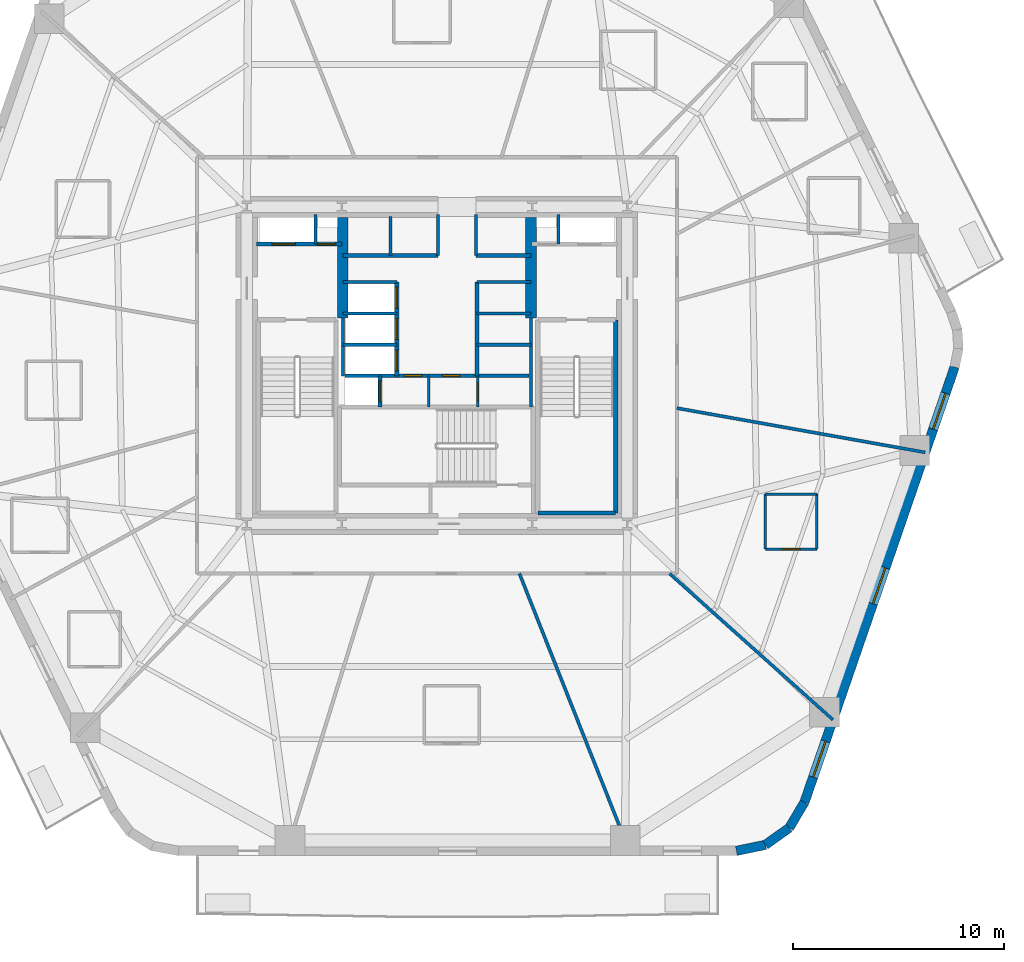
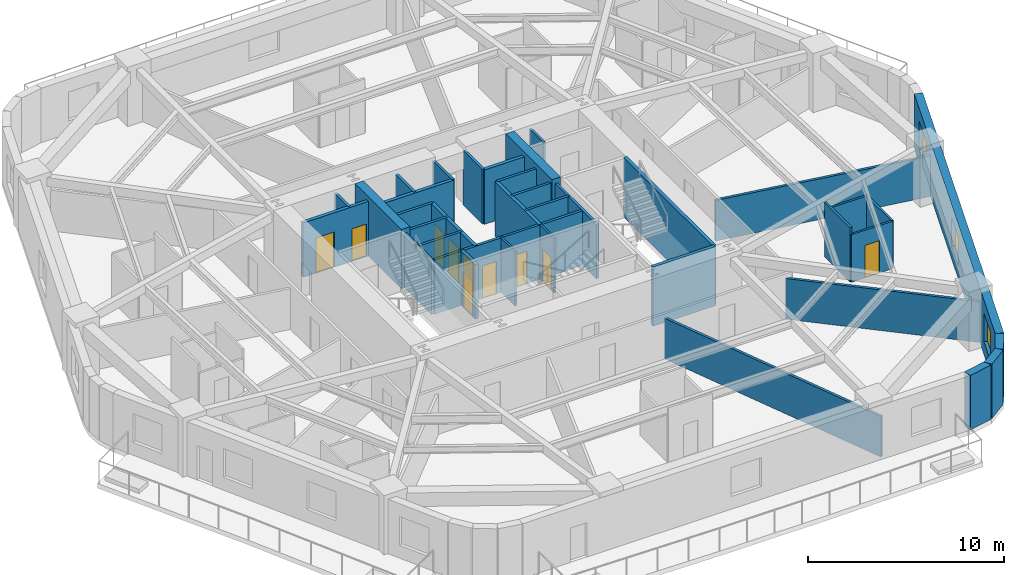
# One storey, part 4 of 10: 37 walls, 10 doors, 3 windows, 13 openings.
"""IFC4 building model written with IfcOpenShell, lengths in metres."""

from ifc_helpers import new_model, si_unit, direction, frame, frame_2d, origin, place, context, subcontext, project, spatial, rectangle, extrude, material, layer, layer_set, type_object, element, fill, save


model = new_model("IFC4")

# Units and contexts
model_context = context("Model", 3, precision=1e-05, world=origin(), true_north=direction((0.0, 1.0)))
body_context = subcontext(model_context, "Body", "Model", "MODEL_VIEW")
ifc_project = project(units=[si_unit("LENGTHUNIT", "METRE"), si_unit("AREAUNIT", "SQUARE_METRE"), si_unit("VOLUMEUNIT", "CUBIC_METRE"), si_unit("PLANEANGLEUNIT", "RADIAN"), si_unit("MASSUNIT", "GRAM", prefix="KILO")], contexts=[model_context])

# Site, building, storey
site_placement = place(None, origin())
site = spatial("IfcSite", under=ifc_project, at=site_placement, CompositionType="ELEMENT")
building_placement = place(site_placement, origin())
building = spatial("IfcBuilding", under=site, at=building_placement, Name="Kilnhurst Terrace Hotel", CompositionType="ELEMENT")
storey_placement = place(building_placement, frame((0.0, 0.0, 63.800048828125)))
storey = spatial("IfcBuildingStorey", under=building, at=storey_placement, Name="L14", CompositionType="ELEMENT", Elevation=63.800048828125)

# Walls
ifc_material_1 = material(Name="Precast concrete C40/50", Category="concrete")
ifc_layer_1 = layer(ifc_material_1, 0.449951171875, Name="Precast concrete C40/50")
ifc_layer_set_1 = layer_set([ifc_layer_1], Name="Precast concrete C40/50")
wall_type_1 = type_object("IfcWallType", Name="WL-BRK-450", PredefinedType="SOLIDWALL", material=ifc_layer_set_1)
wall_1_placement = place(storey_placement, frame((14.168212890625, -22.97509765625, 0.0), z_axis=(0.0, 0.0, 1.0), x_axis=(0.978770371074, 0.204959900243, 0.0)))
element("IfcWall", 1, at=wall_1_placement, inside=storey, type_object=wall_type_1, Name="L14 Rounded Corner Brick Wall C2.1", PredefinedType="SOLIDWALL", context=body_context, shape_type="SweptSolid", body=[
    extrude(rectangle(XDim=1.405517578125, YDim=0.449951171875, at=frame_2d((0.70263671875, 0.0))), origin(), (0.0, 0.0, 1.0), 3.39990234375),
])
wall_2_placement = place(storey_placement, frame((15.5439453125, -22.68701171875, 0.0), z_axis=(0.0, 0.0, 1.0), x_axis=(0.814210854316, 0.580569276412, 0.0)))
element("IfcWall", 2, at=wall_2_placement, inside=storey, type_object=wall_type_1, Name="L14 Rounded Corner Brick Wall C2.2", PredefinedType="SOLIDWALL", context=body_context, shape_type="SweptSolid", body=[
    extrude(rectangle(XDim=1.38134765625, YDim=0.449951171875, at=frame_2d((0.690673828125, 0.0))), origin(), (0.0, 0.0, 1.0), 3.39990234375),
])
wall_3_placement = place(storey_placement, frame((16.668701171875, -21.885009765625, 0.0), z_axis=(0.0, 0.0, 1.0), x_axis=(0.512936712947, 0.858426425799, 0.0)))
element("IfcWall", 3, at=wall_3_placement, inside=storey, type_object=wall_type_1, Name="L14 Rounded Corner Brick Wall C2.3", PredefinedType="SOLIDWALL", context=body_context, shape_type="SweptSolid", body=[
    extrude(rectangle(XDim=1.405517578125, YDim=0.449951171875, at=frame_2d((0.70263671875, 0.0))), origin(), (0.0, 0.0, 1.0), 3.39990234375),
])

# Wall, openings, windows
wall_4_placement = place(storey_placement, frame((17.3896484375, -20.678466796875, 0.0), z_axis=(0.0, 0.0, 1.0), x_axis=(0.326068018294, 0.945346310854, 0.0)))
wall_4 = element("IfcWall", 4, at=wall_4_placement, inside=storey, type_object=wall_type_1, Name="L14 Exterior Brick Facade Wall F2", PredefinedType="SOLIDWALL", context=body_context, shape_type="SweptSolid", body=[
    extrude(rectangle(XDim=21.79296875, YDim=0.449951171875, at=frame_2d((10.896484375, 0.0))), origin(), (0.0, 0.0, 1.0), 3.39990234375),
])
opening_1_placement = place(wall_4_placement, frame((1.260009765625, 0.0, 0.800048828125)))
opening_1 = element("IfcOpeningElement", 5, at=opening_1_placement, cuts=wall_4, Name="Opening W-01", PredefinedType="OPENING", context=body_context, shape_type="SweptSolid", body=[
    extrude(rectangle(XDim=1.800048828125, YDim=1.800048828125, at=frame_2d((0.89990234375, 0.89990234375))), frame((0.0, 0.23486328125, 0.0), z_axis=(0.0, -1.0, 0.0), x_axis=(1.0, 0.0, 0.0)), (0.0, 0.0, 1.0), 0.469970703125),
])
opening_2_placement = place(wall_4_placement, frame((9.943115234375, 0.0, 0.800048828125)))
opening_2 = element("IfcOpeningElement", 6, at=opening_2_placement, cuts=wall_4, Name="Opening W-01", PredefinedType="OPENING", context=body_context, shape_type="SweptSolid", body=[
    extrude(rectangle(XDim=1.800048828125, YDim=1.800048828125, at=frame_2d((0.89990234375, 0.89990234375))), frame((0.0, 0.23486328125, 0.0), z_axis=(0.0, -1.0, 0.0), x_axis=(1.0, 0.0, 0.0)), (0.0, 0.0, 1.0), 0.469970703125),
])
opening_3_placement = place(wall_4_placement, frame((18.679931640625, 0.0, 0.800048828125)))
opening_3 = element("IfcOpeningElement", 7, at=opening_3_placement, cuts=wall_4, Name="Opening W-01", PredefinedType="OPENING", context=body_context, shape_type="SweptSolid", body=[
    extrude(rectangle(XDim=1.800048828125, YDim=1.800048828125, at=frame_2d((0.89990234375, 0.89990234375))), frame((0.0, 0.23486328125, 0.0), z_axis=(0.0, -1.0, 0.0), x_axis=(1.0, 0.0, 0.0)), (0.0, 0.0, 1.0), 0.469970703125),
])
ifc_material_2 = material(Name="Thermally Broken Bronze Aluminium Alloy 6063-T6 and Low-E Glass", Category="aluminium")
window_type = type_object("IfcWindowType", Name="WIN-1800X1800", PartitioningType="SINGLE_PANEL", PredefinedType="WINDOW", material=ifc_material_2)
window_1_placement = place(opening_1_placement, origin())
window_1 = element("IfcWindow", 8, at=window_1_placement, inside=storey, type_object=window_type, Name="L14 Deep-Set Masonry Window F2.1", OverallHeight=1.800048828125, OverallWidth=1.800048828125, PartitioningType="SINGLE_PANEL", PredefinedType="WINDOW", context=body_context, shape_type="SweptSolid", body=[
    extrude(rectangle(XDim=1.800048828125, YDim=1.800048828125, at=frame_2d((0.89990234375, 0.89990234375))), frame((0.0, 0.030029296875, 0.0), z_axis=(0.0, -1.0, 0.0), x_axis=(1.0, 0.0, 0.0)), (0.0, 0.0, 1.0), 0.06005859375),
])
fill(opening_1, window_1)
window_2_placement = place(opening_2_placement, origin())
window_2 = element("IfcWindow", 9, at=window_2_placement, inside=storey, type_object=window_type, Name="L14 Deep-Set Masonry Window F2.2", OverallHeight=1.800048828125, OverallWidth=1.800048828125, PartitioningType="SINGLE_PANEL", PredefinedType="WINDOW", context=body_context, shape_type="SweptSolid", body=[
    extrude(rectangle(XDim=1.800048828125, YDim=1.800048828125, at=frame_2d((0.89990234375, 0.89990234375))), frame((0.0, 0.030029296875, 0.0), z_axis=(0.0, -1.0, 0.0), x_axis=(1.0, 0.0, 0.0)), (0.0, 0.0, 1.0), 0.06005859375),
])
fill(opening_2, window_2)
window_3_placement = place(opening_3_placement, origin())
window_3 = element("IfcWindow", 10, at=window_3_placement, inside=storey, type_object=window_type, Name="L14 Deep-Set Masonry Window F2.3", OverallHeight=1.800048828125, OverallWidth=1.800048828125, PartitioningType="SINGLE_PANEL", PredefinedType="WINDOW", context=body_context, shape_type="SweptSolid", body=[
    extrude(rectangle(XDim=1.800048828125, YDim=1.800048828125, at=frame_2d((0.89990234375, 0.89990234375))), frame((0.0, 0.030029296875, 0.0), z_axis=(0.0, -1.0, 0.0), x_axis=(1.0, 0.0, 0.0)), (0.0, 0.0, 1.0), 0.06005859375),
])
fill(opening_3, window_3)

# Walls
ifc_material_3 = material(Name="Concrete C60/75", Category="concrete")
ifc_layer_2 = layer(ifc_material_3, 0.5, Name="Concrete C60/75")
ifc_layer_set_2 = layer_set([ifc_layer_2], Name="Concrete C60/75")
wall_type_2 = type_object("IfcWallType", Name="WL-CORE-WEB-500", PredefinedType="SHEAR", material=ifc_layer_set_2)
for number, where, z_axis, x_axis, name in (
    (11, (-4.449951171875, 2.25, 0.0), (0.0, 0.0, 1.0), (0.0, 1.0, 0.0), "L14 Core Internal West Shear Web"),
    (12, (4.449951171875, 2.25, 0.0), (0.0, 0.0, 1.0), (0.0, 1.0, 0.0), "L14 Core Internal East Shear Web"),
):
    element("IfcWall", number, at=place(storey_placement, frame(where, z_axis=z_axis, x_axis=x_axis)), inside=storey, type_object=wall_type_2, Name=name, PredefinedType="SHEAR", context=body_context, shape_type="SweptSolid", body=[
        extrude(rectangle(XDim=4.75, YDim=0.5, at=frame_2d((2.375, 0.0))), origin(), (0.0, 0.0, 1.0), 3.699951171875),
    ])
ifc_material_4 = material(Name="STC-58 Acoustic Twin-Frame Guestroom Demising Partition")
ifc_layer_3 = layer(ifc_material_4, 0.14990234375, Name="STC-58 Acoustic Twin-Frame Guestroom Demising Partition")
ifc_layer_set_3 = layer_set([ifc_layer_3], Name="STC-58 Acoustic Twin-Frame Guestroom Demising Partition")
wall_type_3 = type_object("IfcWallType", Name="WL-DEM-150", PredefinedType="PARTITIONING", material=ifc_layer_set_3)
wall_5_placement = place(storey_placement, frame((3.90185546875, -9.85009765625, 0.0), z_axis=(0.0, 0.0, 1.0), x_axis=(0.36828765711, -0.929711891728, 0.0)))
element("IfcWall", 13, at=wall_5_placement, inside=storey, type_object=wall_type_3, Name="L14 Interior Wall WL-L14-DEM-COL10-12-1", PredefinedType="PARTITIONING", context=body_context, shape_type="SweptSolid", body=[
    extrude(rectangle(XDim=14.1171875, YDim=0.14990234375, at=frame_2d((7.05859375, 0.0))), origin(), (0.0, 0.0, 1.0), 2.5400390625),
])
wall_6_placement = place(storey_placement, frame((11.006591796875, -9.85009765625, 0.0), z_axis=(0.0, 0.0, 1.0), x_axis=(0.745177305978, -0.666866390407, 0.0)))
element("IfcWall", 14, at=wall_6_placement, inside=storey, type_object=wall_type_3, Name="L14 Interior Wall WL-L14-DEM-COL11-13-1", PredefinedType="PARTITIONING", context=body_context, shape_type="SweptSolid", body=[
    extrude(rectangle(XDim=10.375244140625, YDim=0.14990234375, at=frame_2d((5.1875, 0.0))), origin(), (0.0, 0.0, 1.0), 2.5400390625),
])
wall_7_placement = place(storey_placement, frame((11.35009765625, -2.022705078125, 0.0), z_axis=(0.0, 0.0, 1.0), x_axis=(0.984493741877, -0.17541970301, 0.0)))
element("IfcWall", 15, at=wall_7_placement, inside=storey, type_object=wall_type_3, Name="L14 Interior Wall WL-L14-DEM-COL12-14-1", PredefinedType="PARTITIONING", context=body_context, shape_type="SweptSolid", body=[
    extrude(rectangle(XDim=11.93701171875, YDim=0.14990234375, at=frame_2d((5.968505859375, 0.0))), origin(), (0.0, 0.0, 1.0), 2.5400390625),
])
ifc_material_5 = material(Name="120 mm Moisture-Resistant Tile-Backed Bathroom Partition")
ifc_layer_4 = layer(ifc_material_5, 0.1201171875, Name="120 mm Moisture-Resistant Tile-Backed Bathroom Partition")
ifc_layer_set_4 = layer_set([ifc_layer_4], Name="120 mm Moisture-Resistant Tile-Backed Bathroom Partition")
wall_type_4 = type_object("IfcWallType", Name="WL-PART-120", PredefinedType="PARTITIONING", material=ifc_layer_set_4)
wall_8_placement = place(storey_placement, frame((-0.3798828125, -1.971923828125, 0.0), z_axis=(0.0, 0.0, 1.0), x_axis=(0.0, 1.0, 0.0)))
element("IfcWall", 16, at=wall_8_placement, inside=storey, type_object=wall_type_4, Name="L14 Interior Wall WL-L14-BOH-C1", PredefinedType="PARTITIONING", context=body_context, shape_type="SweptSolid", body=[
    extrude(rectangle(XDim=1.471923828125, YDim=0.1201171875, at=frame_2d((0.73583984375, 0.0))), origin(), (0.0, 0.0, 1.0), 3.39990234375),
])

# Wall, opening, door
wall_9_placement = place(storey_placement, frame((1.919921875, -1.971923828125, 0.0), z_axis=(0.0, 0.0, 1.0), x_axis=(0.0, 1.0, 0.0)))
wall_9 = element("IfcWall", 17, at=wall_9_placement, inside=storey, type_object=wall_type_4, Name="L14 Interior Wall WL-L14-BOH-C2", PredefinedType="PARTITIONING", context=body_context, shape_type="SweptSolid", body=[
    extrude(rectangle(XDim=1.471923828125, YDim=0.1201171875, at=frame_2d((0.73583984375, 0.0))), origin(), (0.0, 0.0, 1.0), 3.39990234375),
])
opening_4_placement = place(wall_9_placement, frame((0.300048828125, 0.0, 0.0)))
opening_4 = element("IfcOpeningElement", 18, at=opening_4_placement, cuts=wall_9, Name="Opening D-08A", PredefinedType="OPENING", context=body_context, shape_type="SweptSolid", body=[
    extrude(rectangle(XDim=0.85009765625, YDim=2.030029296875, at=frame_2d((0.425048828125, 1.01513671875))), frame((0.0, 0.070068359375, 0.0), z_axis=(0.0, -1.0, 0.0), x_axis=(1.0, 0.0, 0.0)), (0.0, 0.0, 1.0), 0.14013671875),
])
ifc_material_6 = material(Name="Moisture-Resistant Lacquered En-suite Bathroom Door")
door_type_1 = type_object("IfcDoorType", Name="DR-INT-850", OperationType="NOTDEFINED", PredefinedType="DOOR", material=ifc_material_6)
door_1_placement = place(opening_4_placement, origin())
door_1 = element("IfcDoor", 19, at=door_1_placement, inside=storey, type_object=door_type_1, Name="L14 Staff Restroom Door", OperationType="SINGLE_SWING_RIGHT", OverallHeight=2.030029296875, OverallWidth=0.85009765625, PredefinedType="DOOR", context=body_context, shape_type="SweptSolid", body=[
    extrude(rectangle(XDim=0.85009765625, YDim=2.030029296875, at=frame_2d((0.425048828125, 1.01513671875))), frame((0.0, 0.02490234375, 0.0), z_axis=(0.0, -1.0, 0.0), x_axis=(1.0, 0.0, 0.0)), (0.0, 0.0, 1.0), 0.050048828125),
])
fill(opening_4, door_1)

wall_10_placement = place(storey_placement, frame((15.535888671875, -8.697998046875, 0.0), z_axis=(0.0, 0.0, 1.0), x_axis=(1.0, 0.0, 0.0)))
wall_10 = element("IfcWall", 20, at=wall_10_placement, inside=storey, type_object=wall_type_4, Name="L14 Interior Wall WL-L14-BTH-13-1", PredefinedType="PARTITIONING", context=body_context, shape_type="SweptSolid", body=[
    extrude(rectangle(XDim=2.440185546875, YDim=0.1201171875, at=frame_2d((1.22021484375, 0.0))), origin(), (0.0, 0.0, 1.0), 2.97216796875),
])
opening_5_placement = place(wall_10_placement, frame((0.794921875, 0.0, 0.0)))
opening_5 = element("IfcOpeningElement", 21, at=opening_5_placement, cuts=wall_10, Name="Opening D-08A", PredefinedType="OPENING", context=body_context, shape_type="SweptSolid", body=[
    extrude(rectangle(XDim=0.85009765625, YDim=2.030029296875, at=frame_2d((0.425048828125, 1.01513671875))), frame((0.0, 0.070068359375, 0.0), z_axis=(0.0, -1.0, 0.0), x_axis=(1.0, 0.0, 0.0)), (0.0, 0.0, 1.0), 0.14013671875),
])
door_2_placement = place(opening_5_placement, origin())
door_2 = element("IfcDoor", 22, at=door_2_placement, inside=storey, type_object=door_type_1, Name="L14 En-suite Bathroom Door 13", OperationType="SINGLE_SWING_RIGHT", OverallHeight=2.030029296875, OverallWidth=0.85009765625, PredefinedType="DOOR", context=body_context, shape_type="SweptSolid", body=[
    extrude(rectangle(XDim=0.85009765625, YDim=2.030029296875, at=frame_2d((0.425048828125, 1.01513671875))), frame((0.0, 0.02490234375, 0.0), z_axis=(0.0, -1.0, 0.0), x_axis=(1.0, 0.0, 0.0)), (0.0, 0.0, 1.0), 0.050048828125),
])
fill(opening_5, door_2)

# Walls
wall_11_placement = place(storey_placement, frame((17.97607421875, -8.697998046875, 0.0), z_axis=(0.0, 0.0, 1.0), x_axis=(0.0, 1.0, 0.0)))
element("IfcWall", 23, at=wall_11_placement, inside=storey, type_object=wall_type_4, Name="L14 Interior Wall WL-L14-BTH-13-2", PredefinedType="PARTITIONING", context=body_context, shape_type="SweptSolid", body=[
    extrude(rectangle(XDim=2.610107421875, YDim=0.1201171875, at=frame_2d((1.30517578125, 0.0))), origin(), (0.0, 0.0, 1.0), 2.97216796875),
])
wall_12_placement = place(storey_placement, frame((17.97607421875, -6.087890625, 0.0), z_axis=(0.0, 0.0, 1.0), x_axis=(-1.0, 0.0, 0.0)))
element("IfcWall", 24, at=wall_12_placement, inside=storey, type_object=wall_type_4, Name="L14 Interior Wall WL-L14-BTH-13-3", PredefinedType="PARTITIONING", context=body_context, shape_type="SweptSolid", body=[
    extrude(rectangle(XDim=2.440185546875, YDim=0.1201171875, at=frame_2d((1.22021484375, 0.0))), origin(), (0.0, 0.0, 1.0), 2.97216796875),
])
wall_13_placement = place(storey_placement, frame((15.535888671875, -6.087890625, 0.0), z_axis=(0.0, 0.0, 1.0), x_axis=(0.0, -1.0, 0.0)))
element("IfcWall", 25, at=wall_13_placement, inside=storey, type_object=wall_type_4, Name="L14 Interior Wall WL-L14-BTH-13-4", PredefinedType="PARTITIONING", context=body_context, shape_type="SweptSolid", body=[
    extrude(rectangle(XDim=2.610107421875, YDim=0.1201171875, at=frame_2d((1.30517578125, 0.0))), origin(), (0.0, 0.0, 1.0), 3.39990234375),
])
ifc_material_7 = material(Name="Fire-Rated Gypsum Shaftliner Assembly")
ifc_layer_5 = layer(ifc_material_7, 0.14990234375, Name="Fire-Rated Gypsum Shaftliner Assembly")
ifc_layer_set_5 = layer_set([ifc_layer_5], Name="Fire-Rated Gypsum Shaftliner Assembly")
wall_type_5 = type_object("IfcWallType", Name="WL-SHAFT-150", PredefinedType="PARTITIONING", material=ifc_layer_set_5)
for number, where, z_axis, x_axis, name in (
    (26, (-5.75, 5.739990234375, 0.0), (0.0, 0.0, 1.0), (0.0, 1.0, 0.0), "L14 Interior Wall WL-L14-RIS1-DIV"),
    (27, (5.75, 5.739990234375, 0.0), (0.0, 0.0, 1.0), (0.0, 1.0, 0.0), "L14 Interior Wall WL-L14-RIS2-DIV"),
):
    element("IfcWall", number, at=place(storey_placement, frame(where, z_axis=z_axis, x_axis=x_axis)), inside=storey, type_object=wall_type_5, Name=name, PredefinedType="PARTITIONING", context=body_context, shape_type="SweptSolid", body=[
        extrude(rectangle(XDim=1.409912109375, YDim=0.14990234375, at=frame_2d((0.705078125, 0.0))), origin(), (0.0, 0.0, 1.0), 3.39990234375),
    ])
wall_14_placement = place(storey_placement, frame((-2.199951171875, 5.199951171875, 0.0), z_axis=(0.0, 0.0, 1.0), x_axis=(0.0, 1.0, 0.0)))
element("IfcWall", 28, at=wall_14_placement, inside=storey, type_object=wall_type_5, Name="L14 Interior Wall WL-L14-HR-DIV1", PredefinedType="PARTITIONING", context=body_context, shape_type="SweptSolid", body=[
    extrude(rectangle(XDim=1.85009765625, YDim=0.14990234375, at=frame_2d((0.925048828125, 0.0))), origin(), (0.0, 0.0, 1.0), 3.39990234375),
])
for number, where, z_axis, x_axis, name in (
    (29, (0.050048828125, 5.199951171875, 0.0), (0.0, 0.0, 1.0), (0.0, 1.0, 0.0), "L14 Interior Wall WL-L14-HR-PORTAL-W"),
    (30, (1.85009765625, 5.199951171875, 0.0), (0.0, 0.0, 1.0), (0.0, 1.0, 0.0), "L14 Interior Wall WL-L14-HR-PORTAL-E"),
):
    element("IfcWall", number, at=place(storey_placement, frame(where, z_axis=z_axis, x_axis=x_axis)), inside=storey, type_object=wall_type_5, Name=name, PredefinedType="PARTITIONING", context=body_context, shape_type="SweptSolid", body=[
        extrude(rectangle(XDim=1.949951171875, YDim=0.14990234375, at=frame_2d((0.97509765625, 0.0))), origin(), (0.0, 0.0, 1.0), 3.39990234375),
    ])
wall_15_placement = place(storey_placement, frame((-4.449951171875, -0.5, 0.0), z_axis=(0.0, 0.0, 1.0), x_axis=(0.0, 1.0, 0.0)))
element("IfcWall", 31, at=wall_15_placement, inside=storey, type_object=wall_type_5, Name="L14 Interior Wall WL-L14-XLOB-W", PredefinedType="PARTITIONING", context=body_context, shape_type="SweptSolid", body=[
    extrude(rectangle(XDim=2.75, YDim=0.14990234375, at=frame_2d((1.375, 0.0))), origin(), (0.0, 0.0, 1.0), 3.39990234375),
])
wall_16_placement = place(storey_placement, frame((4.449951171875, -1.971923828125, 0.0), z_axis=(0.0, 0.0, 1.0), x_axis=(0.0, 1.0, 0.0)))
element("IfcWall", 32, at=wall_16_placement, inside=storey, type_object=wall_type_5, Name="L14 Interior Wall WL-L14-XLOB-E", PredefinedType="PARTITIONING", context=body_context, shape_type="SweptSolid", body=[
    extrude(rectangle(XDim=4.221923828125, YDim=0.14990234375, at=frame_2d((2.11083984375, 0.0))), origin(), (0.0, 0.0, 1.0), 3.39990234375),
])
for number, where, z_axis, x_axis, name in (
    (33, (-4.449951171875, 3.93994140625, 0.0), (0.0, 0.0, 1.0), (1.0, 0.0, 0.0), "L14 Interior Wall WL-L14-LR-NORTH"),
    (34, (-4.449951171875, 0.97998046875, 0.0), (0.0, 0.0, 1.0), (1.0, 0.0, 0.0), "L14 Interior Wall WL-L14-LR-D1"),
    (35, (-4.449951171875, 2.4599609375, 0.0), (0.0, 0.0, 1.0), (1.0, 0.0, 0.0), "L14 Interior Wall WL-L14-LR-D2"),
    (36, (1.89990234375, 3.93994140625, 0.0), (0.0, 0.0, 1.0), (1.0, 0.0, 0.0), "L14 Interior Wall WL-L14-MR-NORTH"),
    (37, (1.89990234375, 0.97998046875, 0.0), (0.0, 0.0, 1.0), (1.0, 0.0, 0.0), "L14 Interior Wall WL-L14-MR-D1"),
    (38, (1.89990234375, 2.4599609375, 0.0), (0.0, 0.0, 1.0), (1.0, 0.0, 0.0), "L14 Interior Wall WL-L14-MR-D2"),
):
    element("IfcWall", number, at=place(storey_placement, frame(where, z_axis=z_axis, x_axis=x_axis)), inside=storey, type_object=wall_type_5, Name=name, PredefinedType="PARTITIONING", context=body_context, shape_type="SweptSolid", body=[
        extrude(rectangle(XDim=2.550048828125, YDim=0.14990234375, at=frame_2d((1.27490234375, 0.0))), origin(), (0.0, 0.0, 1.0), 3.39990234375),
    ])

# Wall, openings, doors
wall_17_placement = place(storey_placement, frame((-4.360107421875, -0.489990234375, 0.0), z_axis=(0.0, 0.0, 1.0), x_axis=(1.0, 0.0, 0.0)))
wall_17 = element("IfcWall", 39, at=wall_17_placement, inside=storey, type_object=wall_type_5, Name="L14 Interior Wall WL-L14-BOH-N", PredefinedType="PARTITIONING", context=body_context, shape_type="SweptSolid", body=[
    extrude(rectangle(XDim=8.72021484375, YDim=0.14990234375, at=frame_2d((4.360107421875, 0.0))), origin(), (0.0, 0.0, 1.0), 3.39990234375),
])
opening_6_placement = place(wall_17_placement, frame((2.81005859375, 0.0, 0.0)))
opening_6 = element("IfcOpeningElement", 40, at=opening_6_placement, cuts=wall_17, Name="Opening D-60D", PredefinedType="OPENING", context=body_context, shape_type="SweptSolid", body=[
    extrude(rectangle(XDim=0.85009765625, YDim=2.030029296875, at=frame_2d((0.425048828125, 1.01513671875))), frame((0.0, 0.0849609375, 0.0), z_axis=(0.0, -1.0, 0.0), x_axis=(1.0, 0.0, 0.0)), (0.0, 0.0, 1.0), 0.169921875),
])
opening_7_placement = place(wall_17_placement, frame((4.610107421875, 0.0, 0.0)))
opening_7 = element("IfcOpeningElement", 41, at=opening_7_placement, cuts=wall_17, Name="Opening D-60D", PredefinedType="OPENING", context=body_context, shape_type="SweptSolid", body=[
    extrude(rectangle(XDim=0.85009765625, YDim=2.030029296875, at=frame_2d((0.425048828125, 1.01513671875))), frame((0.0, 0.0849609375, 0.0), z_axis=(0.0, -1.0, 0.0), x_axis=(1.0, 0.0, 0.0)), (0.0, 0.0, 1.0), 0.169921875),
])
ifc_material_8 = material(Name="Painted Hollow Metal Steel ASTM A36 Riser Door", Category="steel")
door_type_2 = type_object("IfcDoorType", Name="DR-FD60-850", OperationType="NOTDEFINED", PredefinedType="DOOR", material=ifc_material_8)
door_3_placement = place(opening_6_placement, origin())
door_3 = element("IfcDoor", 42, at=door_3_placement, inside=storey, type_object=door_type_2, Name="L14 Housekeeping Station Door", OperationType="SINGLE_SWING_LEFT", OverallHeight=2.030029296875, OverallWidth=0.85009765625, PredefinedType="DOOR", context=body_context, shape_type="SweptSolid", body=[
    extrude(rectangle(XDim=0.85009765625, YDim=2.030029296875, at=frame_2d((0.425048828125, 1.01513671875))), frame((0.0, 0.02490234375, 0.0), z_axis=(0.0, -1.0, 0.0), x_axis=(1.0, 0.0, 0.0)), (0.0, 0.0, 1.0), 0.050048828125),
])
fill(opening_6, door_3)
door_4_placement = place(opening_7_placement, origin())
door_4 = element("IfcDoor", 43, at=door_4_placement, inside=storey, type_object=door_type_2, Name="L14 Beverage Pantry Door", OperationType="SINGLE_SWING_RIGHT", OverallHeight=2.030029296875, OverallWidth=0.85009765625, PredefinedType="DOOR", context=body_context, shape_type="SweptSolid", body=[
    extrude(rectangle(XDim=0.85009765625, YDim=2.030029296875, at=frame_2d((0.425048828125, 1.01513671875))), frame((0.0, 0.02490234375, 0.0), z_axis=(0.0, -1.0, 0.0), x_axis=(1.0, 0.0, 0.0)), (0.0, 0.0, 1.0), 0.050048828125),
])
fill(opening_7, door_4)

ifc_material_9 = material(Name="Autoclaved Aerated Concrete C30/37 and Gypsum Shaft Assembly", Category="concrete")
ifc_layer_6 = layer(ifc_material_9, 0.199951171875, Name="Autoclaved Aerated Concrete C30/37 and Gypsum Shaft Assembly")
ifc_layer_set_6 = layer_set([ifc_layer_6], Name="Autoclaved Aerated Concrete C30/37 and Gypsum Shaft Assembly")
wall_type_6 = type_object("IfcWallType", Name="WL-SHAFT-200", PredefinedType="PARTITIONING", material=ifc_layer_set_6)
wall_18_placement = place(storey_placement, frame((-8.550048828125, 5.739990234375, 0.0), z_axis=(0.0, 0.0, 1.0), x_axis=(1.0, 0.0, 0.0)))
wall_18 = element("IfcWall", 44, at=wall_18_placement, inside=storey, type_object=wall_type_6, Name="L14 Interior Wall WL-L14-FSAE1-S", PredefinedType="PARTITIONING", context=body_context, shape_type="SweptSolid", body=[
    extrude(rectangle(XDim=4.050048828125, YDim=0.199951171875, at=frame_2d((2.02490234375, 0.0))), origin(), (0.0, 0.0, 1.0), 3.39990234375),
])
opening_8_placement = place(wall_18_placement, frame((0.75, 0.0, 0.0)))
opening_8 = element("IfcOpeningElement", 45, at=opening_8_placement, cuts=wall_18, Name="Opening LD-F1", PredefinedType="OPENING", context=body_context, shape_type="SweptSolid", body=[
    extrude(rectangle(XDim=1.10009765625, YDim=2.199951171875, at=frame_2d((0.550048828125, 1.10009765625))), frame((0.0, 0.10986328125, 0.0), z_axis=(0.0, -1.0, 0.0), x_axis=(1.0, 0.0, 0.0)), (0.0, 0.0, 1.0), 0.219970703125),
])
opening_9_placement = place(wall_18_placement, frame((2.89990234375, 0.0, 0.0)))
opening_9 = element("IfcOpeningElement", 46, at=opening_9_placement, cuts=wall_18, Name="Opening D-60D", PredefinedType="OPENING", context=body_context, shape_type="SweptSolid", body=[
    extrude(rectangle(XDim=0.85009765625, YDim=2.030029296875, at=frame_2d((0.425048828125, 1.01513671875))), frame((0.0, 0.10986328125, 0.0), z_axis=(0.0, -1.0, 0.0), x_axis=(1.0, 0.0, 0.0)), (0.0, 0.0, 1.0), 0.219970703125),
])
door_5_placement = place(opening_9_placement, origin())
door_5 = element("IfcDoor", 47, at=door_5_placement, inside=storey, type_object=door_type_2, Name="L14 Electrical Riser Door", OperationType="SINGLE_SWING_LEFT", OverallHeight=2.030029296875, OverallWidth=0.85009765625, PredefinedType="DOOR", context=body_context, shape_type="SweptSolid", body=[
    extrude(rectangle(XDim=0.85009765625, YDim=2.030029296875, at=frame_2d((0.425048828125, 1.01513671875))), frame((0.0, 0.02490234375, 0.0), z_axis=(0.0, -1.0, 0.0), x_axis=(1.0, 0.0, 0.0)), (0.0, 0.0, 1.0), 0.050048828125),
])
fill(opening_9, door_5)
ifc_material_10 = material(Name="Bronze-Anodized Stainless Steel AISI 316L Sliding Door", Category="steel")
door_type_3 = type_object("IfcDoorType", Name="DR-LIFT-1100", OperationType="NOTDEFINED", PredefinedType="DOOR", material=ifc_material_10)
door_6_placement = place(opening_8_placement, origin())
door_6 = element("IfcDoor", 48, at=door_6_placement, inside=storey, type_object=door_type_3, Name="L14 FSAE-1 Landing Door", OperationType="SLIDING_TO_LEFT", OverallHeight=2.199951171875, OverallWidth=1.10009765625, PredefinedType="DOOR", context=body_context, shape_type="SweptSolid", body=[
    extrude(rectangle(XDim=1.10009765625, YDim=2.199951171875, at=frame_2d((0.550048828125, 1.10009765625))), frame((0.0, 0.02490234375, 0.0), z_axis=(0.0, -1.0, 0.0), x_axis=(1.0, 0.0, 0.0)), (0.0, 0.0, 1.0), 0.050048828125),
])
fill(opening_8, door_6)

# Wall, opening, door
wall_19_placement = place(storey_placement, frame((-2.699951171875, -1.971923828125, 0.0), z_axis=(0.0, 0.0, 1.0), x_axis=(0.0, 1.0, 0.0)))
wall_19 = element("IfcWall", 49, at=wall_19_placement, inside=storey, type_object=wall_type_6, Name="L14 Interior Wall WL-L14-SRV1-E", PredefinedType="PARTITIONING", context=body_context, shape_type="SweptSolid", body=[
    extrude(rectangle(XDim=1.471923828125, YDim=0.199951171875, at=frame_2d((0.73583984375, 0.0))), origin(), (0.0, 0.0, 1.0), 3.39990234375),
])
opening_10_placement = place(wall_19_placement, frame((0.239990234375, 0.0, 0.0)))
opening_10 = element("IfcOpeningElement", 50, at=opening_10_placement, cuts=wall_19, Name="Opening LD-SV", PredefinedType="OPENING", context=body_context, shape_type="SweptSolid", body=[
    extrude(rectangle(XDim=1.0, YDim=2.199951171875, at=frame_2d((0.5, 1.10009765625))), frame((0.0, 0.10986328125, 0.0), z_axis=(0.0, -1.0, 0.0), x_axis=(1.0, 0.0, 0.0)), (0.0, 0.0, 1.0), 0.219970703125),
])
door_type_4 = type_object("IfcDoorType", Name="DR-LIFT-1000", OperationType="NOTDEFINED", PredefinedType="DOOR", material=ifc_material_10)
door_7_placement = place(opening_10_placement, origin())
door_7 = element("IfcDoor", 51, at=door_7_placement, inside=storey, type_object=door_type_4, Name="L14 Service Lift SRV-1 Landing Door", OperationType="SLIDING_TO_LEFT", OverallHeight=2.199951171875, OverallWidth=1.0, PredefinedType="DOOR", context=body_context, shape_type="SweptSolid", body=[
    extrude(rectangle(XDim=1.0, YDim=2.199951171875, at=frame_2d((0.5, 1.10009765625))), frame((0.0, 0.02490234375, 0.0), z_axis=(0.0, -1.0, 0.0), x_axis=(1.0, 0.0, 0.0)), (0.0, 0.0, 1.0), 0.050048828125),
])
fill(opening_10, door_7)

# Walls
wall_20_placement = place(storey_placement, frame((-4.449951171875, 5.199951171875, 0.0), z_axis=(0.0, 0.0, 1.0), x_axis=(1.0, 0.0, 0.0)))
element("IfcWall", 52, at=wall_20_placement, inside=storey, type_object=wall_type_6, Name="L14 Interior Wall WL-L14-HR-SW", PredefinedType="PARTITIONING", context=body_context, shape_type="SweptSolid", body=[
    extrude(rectangle(XDim=4.5, YDim=0.199951171875, at=frame_2d((2.25, 0.0))), origin(), (0.0, 0.0, 1.0), 3.39990234375),
])
wall_21_placement = place(storey_placement, frame((1.85009765625, 5.199951171875, 0.0), z_axis=(0.0, 0.0, 1.0), x_axis=(1.0, 0.0, 0.0)))
element("IfcWall", 53, at=wall_21_placement, inside=storey, type_object=wall_type_6, Name="L14 Interior Wall WL-L14-HR-SE", PredefinedType="PARTITIONING", context=body_context, shape_type="SweptSolid", body=[
    extrude(rectangle(XDim=2.599853515625, YDim=0.199951171875, at=frame_2d((1.2998046875, 0.0))), origin(), (0.0, 0.0, 1.0), 3.39990234375),
])

# Wall, openings, doors
wall_22_placement = place(storey_placement, frame((-1.89990234375, -0.5, 0.0), z_axis=(0.0, 0.0, 1.0), x_axis=(0.0, 1.0, 0.0)))
wall_22 = element("IfcWall", 54, at=wall_22_placement, inside=storey, type_object=wall_type_6, Name="L14 Interior Wall WL-L14-LR-FRONT", PredefinedType="PARTITIONING", context=body_context, shape_type="SweptSolid", body=[
    extrude(rectangle(XDim=4.43994140625, YDim=0.199951171875, at=frame_2d((2.219970703125, 0.0))), origin(), (0.0, 0.0, 1.0), 3.39990234375),
])
opening_11_placement = place(wall_22_placement, frame((0.239990234375, 0.0, 0.0)))
opening_11 = element("IfcOpeningElement", 55, at=opening_11_placement, cuts=wall_22, Name="Opening LD-LR", PredefinedType="OPENING", context=body_context, shape_type="SweptSolid", body=[
    extrude(rectangle(XDim=1.0, YDim=2.199951171875, at=frame_2d((0.5, 1.10009765625))), frame((0.0, 0.10986328125, 0.0), z_axis=(0.0, -1.0, 0.0), x_axis=(1.0, 0.0, 0.0)), (0.0, 0.0, 1.0), 0.219970703125),
])
opening_12_placement = place(wall_22_placement, frame((1.719970703125, 0.0, 0.0)))
opening_12 = element("IfcOpeningElement", 56, at=opening_12_placement, cuts=wall_22, Name="Opening LD-LR", PredefinedType="OPENING", context=body_context, shape_type="SweptSolid", body=[
    extrude(rectangle(XDim=1.0, YDim=2.199951171875, at=frame_2d((0.5, 1.10009765625))), frame((0.0, 0.10986328125, 0.0), z_axis=(0.0, -1.0, 0.0), x_axis=(1.0, 0.0, 0.0)), (0.0, 0.0, 1.0), 0.219970703125),
])
opening_13_placement = place(wall_22_placement, frame((3.199951171875, 0.0, 0.0)))
opening_13 = element("IfcOpeningElement", 57, at=opening_13_placement, cuts=wall_22, Name="Opening LD-LR", PredefinedType="OPENING", context=body_context, shape_type="SweptSolid", body=[
    extrude(rectangle(XDim=1.0, YDim=2.199951171875, at=frame_2d((0.5, 1.10009765625))), frame((0.0, 0.10986328125, 0.0), z_axis=(0.0, -1.0, 0.0), x_axis=(1.0, 0.0, 0.0)), (0.0, 0.0, 1.0), 0.219970703125),
])
door_8_placement = place(opening_11_placement, origin())
door_8 = element("IfcDoor", 58, at=door_8_placement, inside=storey, type_object=door_type_4, Name="L14 Low Rise Lift LR-1 Landing Door", OperationType="SLIDING_TO_LEFT", OverallHeight=2.199951171875, OverallWidth=1.0, PredefinedType="DOOR", context=body_context, shape_type="SweptSolid", body=[
    extrude(rectangle(XDim=1.0, YDim=2.199951171875, at=frame_2d((0.5, 1.10009765625))), frame((0.0, 0.02490234375, 0.0), z_axis=(0.0, -1.0, 0.0), x_axis=(1.0, 0.0, 0.0)), (0.0, 0.0, 1.0), 0.050048828125),
])
fill(opening_11, door_8)
door_9_placement = place(opening_12_placement, origin())
door_9 = element("IfcDoor", 59, at=door_9_placement, inside=storey, type_object=door_type_4, Name="L14 Low Rise Lift LR-2 Landing Door", OperationType="SLIDING_TO_LEFT", OverallHeight=2.199951171875, OverallWidth=1.0, PredefinedType="DOOR", context=body_context, shape_type="SweptSolid", body=[
    extrude(rectangle(XDim=1.0, YDim=2.199951171875, at=frame_2d((0.5, 1.10009765625))), frame((0.0, 0.02490234375, 0.0), z_axis=(0.0, -1.0, 0.0), x_axis=(1.0, 0.0, 0.0)), (0.0, 0.0, 1.0), 0.050048828125),
])
fill(opening_12, door_9)
door_10_placement = place(opening_13_placement, origin())
door_10 = element("IfcDoor", 60, at=door_10_placement, inside=storey, type_object=door_type_4, Name="L14 Low Rise Lift LR-3 Landing Door", OperationType="SLIDING_TO_LEFT", OverallHeight=2.199951171875, OverallWidth=1.0, PredefinedType="DOOR", context=body_context, shape_type="SweptSolid", body=[
    extrude(rectangle(XDim=1.0, YDim=2.199951171875, at=frame_2d((0.5, 1.10009765625))), frame((0.0, 0.02490234375, 0.0), z_axis=(0.0, -1.0, 0.0), x_axis=(1.0, 0.0, 0.0)), (0.0, 0.0, 1.0), 0.050048828125),
])
fill(opening_13, door_10)

# Walls
wall_23_placement = place(storey_placement, frame((1.89990234375, -0.5, 0.0), z_axis=(0.0, 0.0, 1.0), x_axis=(0.0, 1.0, 0.0)))
element("IfcWall", 61, at=wall_23_placement, inside=storey, type_object=wall_type_6, Name="L14 Interior Wall WL-L14-MR-FRONT", PredefinedType="PARTITIONING", context=body_context, shape_type="SweptSolid", body=[
    extrude(rectangle(XDim=4.43994140625, YDim=0.199951171875, at=frame_2d((2.219970703125, 0.0))), origin(), (0.0, 0.0, 1.0), 3.39990234375),
])
ifc_material_11 = material(Name="Concrete C50/60", Category="concrete")
ifc_layer_7 = layer(ifc_material_11, 0.199951171875, Name="Concrete C50/60")
ifc_layer_set_7 = layer_set([ifc_layer_7], Name="Concrete C50/60")
wall_type_7 = type_object("IfcWallType", Name="WL-STAIR-RC-200", PredefinedType="SHEAR", material=ifc_layer_set_7)
wall_24_placement = place(storey_placement, frame((8.4580078125, -6.985107421875, 0.0), z_axis=(0.0, 0.0, 1.0), x_axis=(0.0, 1.0, 0.0)))
element("IfcWall", 62, at=wall_24_placement, inside=storey, type_object=wall_type_7, Name="L14 Structural Stair Shaft Wall WL-L14-ST2-E", PredefinedType="SHEAR", context=body_context, shape_type="SweptSolid", body=[
    extrude(rectangle(XDim=9.14306640625, YDim=0.199951171875, at=frame_2d((4.571533203125, 0.0))), origin(), (0.0, 0.0, 1.0), 3.699951171875),
])
wall_25_placement = place(storey_placement, frame((4.77197265625, -6.985107421875, 0.0), z_axis=(0.0, 0.0, 1.0), x_axis=(1.0, 0.0, 0.0)))
element("IfcWall", 63, at=wall_25_placement, inside=storey, type_object=wall_type_7, Name="L14 Structural Stair Shaft Wall WL-L14-ST2-S", PredefinedType="SHEAR", context=body_context, shape_type="SweptSolid", body=[
    extrude(rectangle(XDim=3.68603515625, YDim=0.199951171875, at=frame_2d((1.843017578125, 0.0))), origin(), (0.0, 0.0, 1.0), 3.699951171875),
])

save(model, "model.ifc")
